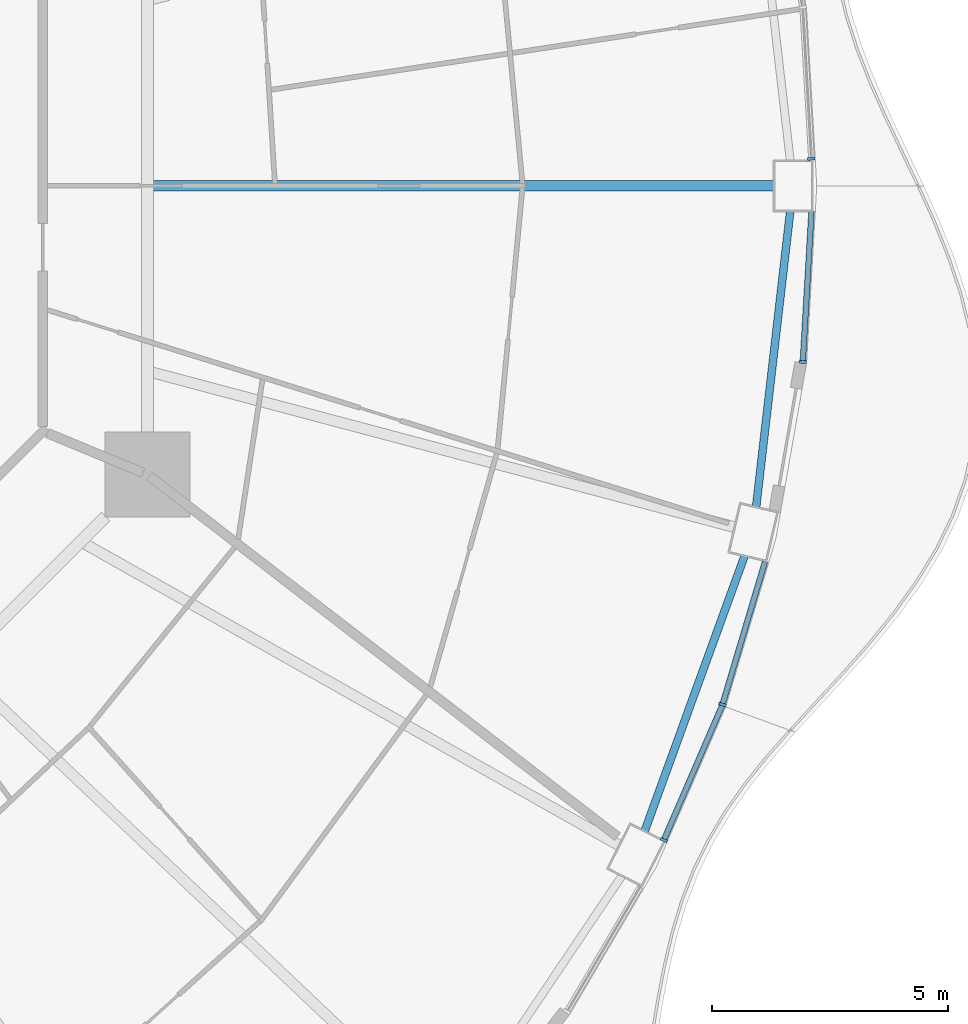
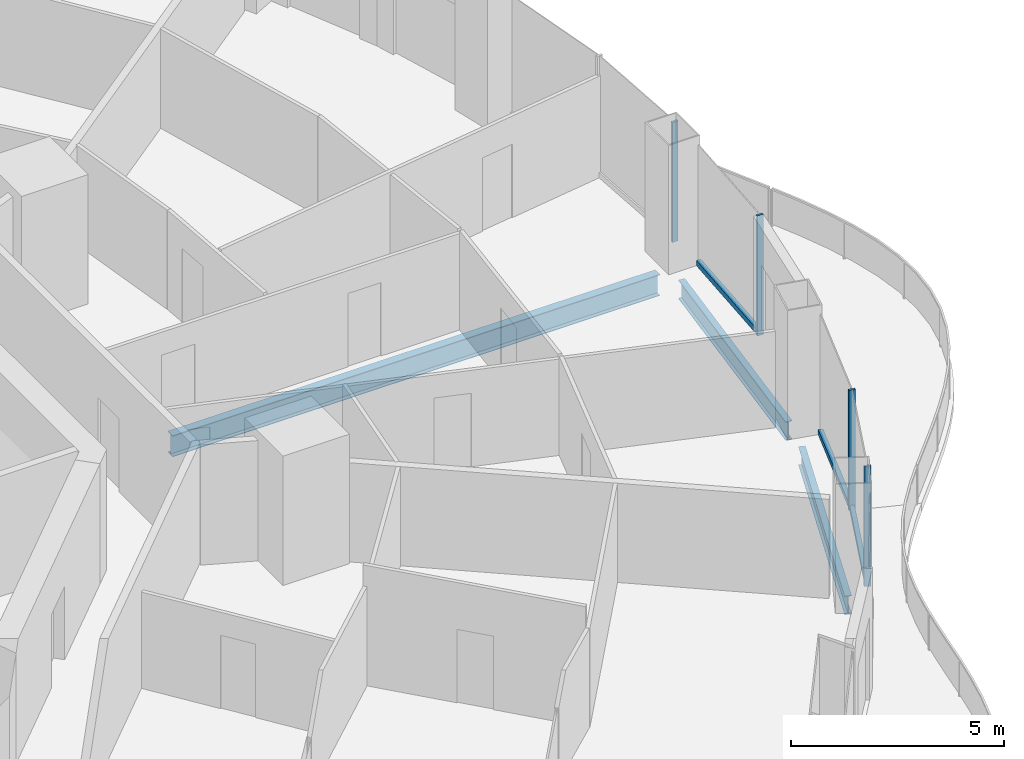
# One storey, part 5 of 19: 7 members, 3 beams, 4 elements without a shape of their own.
"""IFC4 building model written with IfcOpenShell, lengths in metres."""

from ifc_helpers import new_model, si_unit, direction, frame, origin, origin_2d, place, context, subcontext, project, spatial, rectangle, i_section, extrude, material, layer, layer_set, material_profile, profile_set, type_object, element, aggregate, save


model = new_model("IFC4")

# Units and contexts
model_context = context("Model", 3, precision=1e-05, world=origin(), true_north=direction((0.0, 1.0)))
body_context = subcontext(model_context, "Body", "Model", "MODEL_VIEW")
ifc_project = project(units=[si_unit("LENGTHUNIT", "METRE"), si_unit("AREAUNIT", "SQUARE_METRE"), si_unit("VOLUMEUNIT", "CUBIC_METRE"), si_unit("PLANEANGLEUNIT", "RADIAN"), si_unit("MASSUNIT", "GRAM", prefix="KILO")], contexts=[model_context])

# Site, building, storey
site_placement = place(None, origin())
site = spatial("IfcSite", under=ifc_project, at=site_placement, CompositionType="ELEMENT")
building_placement = place(site_placement, origin())
building = spatial("IfcBuilding", under=site, at=building_placement, Name="Nagisa Residences", CompositionType="ELEMENT")
storey_placement = place(building_placement, frame((0.0, 0.0, 177.0)))
storey = spatial("IfcBuildingStorey", under=building, at=storey_placement, Name="L44", CompositionType="ELEMENT", Elevation=177.0)

# Curtain wall, member
ifc_material_1 = material(Name="Concrete-coloured aluminium curtain wall system", Category="concrete")
ifc_layer = layer(ifc_material_1, 0.159912109375)
ifc_layer_set = layer_set([ifc_layer], Name="CW1 CURTAIN WALL")
curtain_wall_type = type_object("IfcCurtainWallType", Name="CW1 CURTAIN WALL", PredefinedType="NOTDEFINED", material=ifc_layer_set)
curtain_wall_1_placement = place(storey_placement, origin())
curtain_wall_1 = element("IfcCurtainWall", 1, at=curtain_wall_1_placement, inside=storey, type_object=curtain_wall_type, Name="cw:CW1:L44:00", PredefinedType="NOTDEFINED")
ifc_material_2 = material(Name="Concrete-coloured aluminium", Category="concrete")
ifc_material_profile_1 = material_profile(ifc_material_2, rectangle(XDim=0.159912109375, YDim=0.06005859375, at=origin_2d()), Name="CW1 MULLION 160x60")
ifc_profile_set_1 = profile_set([ifc_material_profile_1], Name="Concrete-coloured aluminium")
member_type_1 = type_object("IfcMemberType", Name="CW1 MULLION 160x60", PredefinedType="MULLION", material=ifc_profile_set_1)
member_1_placement = place(storey_placement, frame((28.86181640625, 0.574462890625, 0.0), z_axis=(0.0, 0.0, 1.0), x_axis=(-0.998345305184, -0.057503492216, 0.0)))
member_1 = element("IfcMember", 2, at=member_1_placement, type_object=member_type_1, Name="CW1 mullion", PredefinedType="MULLION", context=body_context, shape_type="SweptSolid", body=[
    extrude(rectangle(XDim=0.159912109375, YDim=0.06005859375, at=origin_2d()), origin(), (0.0, 0.0, 1.0), 3.43994140625),
])
aggregate(curtain_wall_1, [member_1])

curtain_wall_2_placement = place(storey_placement, origin())
curtain_wall_2 = element("IfcCurtainWall", 3, at=curtain_wall_2_placement, inside=storey, type_object=curtain_wall_type, Name="cw:CW1:L44:44", PredefinedType="NOTDEFINED")
member_2_placement = place(storey_placement, frame((25.732666015625, -13.87353515625, 0.0), z_axis=(0.0, 0.0, 1.0), x_axis=(-0.917543276295, 0.397635934147, 0.0)))
member_2 = element("IfcMember", 4, at=member_2_placement, type_object=member_type_1, Name="CW1 mullion", PredefinedType="MULLION", context=body_context, shape_type="SweptSolid", body=[
    extrude(rectangle(XDim=0.159912109375, YDim=0.06005859375, at=origin_2d()), origin(), (0.0, 0.0, 1.0), 3.43994140625),
])

curtain_wall_3_placement = place(storey_placement, origin())
curtain_wall_3 = element("IfcCurtainWall", 5, at=curtain_wall_3_placement, inside=storey, type_object=curtain_wall_type, Name="cw:CW1:L44:45", PredefinedType="NOTDEFINED")
member_3_placement = place(storey_placement, frame((26.975341796875, -10.998291015625, 0.0), z_axis=(0.0, 0.0, 1.0), x_axis=(-0.958271310082, 0.285860274038, 0.0)))
member_3 = element("IfcMember", 6, at=member_3_placement, type_object=member_type_1, Name="CW1 mullion", PredefinedType="MULLION", context=body_context, shape_type="SweptSolid", body=[
    extrude(rectangle(XDim=0.159912109375, YDim=0.06005859375, at=origin_2d()), origin(), (0.0, 0.0, 1.0), 3.43994140625),
])

curtain_wall_4_placement = place(storey_placement, origin())
curtain_wall_4 = element("IfcCurtainWall", 7, at=curtain_wall_4_placement, inside=storey, type_object=curtain_wall_type, Name="cw:CW1:L44:47", PredefinedType="NOTDEFINED")
member_4_placement = place(storey_placement, frame((28.6796875, -3.734375, 0.0), z_axis=(0.0, 0.0, 1.0), x_axis=(-0.998345305184, 0.057503492216, 0.0)))
member_4 = element("IfcMember", 8, at=member_4_placement, type_object=member_type_1, Name="CW1 mullion", PredefinedType="MULLION", context=body_context, shape_type="SweptSolid", body=[
    extrude(rectangle(XDim=0.159912109375, YDim=0.06005859375, at=origin_2d()), origin(), (0.0, 0.0, 1.0), 3.43994140625),
])

# Member
ifc_material_3 = material(Name="Concrete-coloured aluminium", Category="concrete")
ifc_material_profile_2 = material_profile(ifc_material_3, rectangle(XDim=0.1201171875, YDim=0.14990234375, at=origin_2d()), Name="CW1 TRANSOM 120x150")
ifc_profile_set_2 = profile_set([ifc_material_profile_2], Name="Concrete-coloured aluminium")
member_type_2 = type_object("IfcMemberType", Name="CW1 TRANSOM 120x150", PredefinedType="USERDEFINED", material=ifc_profile_set_2)
member_5_placement = place(storey_placement, frame((25.720703125, -13.901123046875, 0.074951171875), z_axis=(0.397592173732, 0.917562239517, 0.0), x_axis=(-0.917562239517, 0.397592173732, 0.0)))
member_5 = element("IfcMember", 9, at=member_5_placement, type_object=member_type_2, Name="CW1 transom", ObjectType="TRANSOM", PredefinedType="USERDEFINED", context=body_context, shape_type="SweptSolid", body=[
    extrude(rectangle(XDim=0.1201171875, YDim=0.14990234375, at=origin_2d()), origin(), (0.0, 0.0, 1.0), 3.14208984375),
])

aggregate(curtain_wall_2, [member_2, member_5])

member_6_placement = place(storey_placement, frame((26.966796875, -11.027099609375, 0.074951171875), z_axis=(0.28584838049, 0.958274857946, 0.0), x_axis=(-0.958274857946, 0.28584838049, 0.0)))
member_6 = element("IfcMember", 10, at=member_6_placement, type_object=member_type_2, Name="CW1 transom", ObjectType="TRANSOM", PredefinedType="USERDEFINED", context=body_context, shape_type="SweptSolid", body=[
    extrude(rectangle(XDim=0.1201171875, YDim=0.14990234375, at=origin_2d()), origin(), (0.0, 0.0, 1.0), 3.182373046875),
])

aggregate(curtain_wall_3, [member_3, member_6])

member_7_placement = place(storey_placement, frame((28.677978515625, -3.764404296875, 0.074951171875), z_axis=(0.057528345118, 0.998343873376, 0.0), x_axis=(-0.998343873376, 0.057528345118, 0.0)))
member_7 = element("IfcMember", 11, at=member_7_placement, type_object=member_type_2, Name="CW1 transom", ObjectType="TRANSOM", PredefinedType="USERDEFINED", context=body_context, shape_type="SweptSolid", body=[
    extrude(rectangle(XDim=0.1201171875, YDim=0.14990234375, at=origin_2d()), origin(), (0.0, 0.0, 1.0), 3.225341796875),
])

aggregate(curtain_wall_4, [member_4, member_7])

# Beams
ifc_material_4 = material(Name="Steel ASTM A572 Gr 50", Category="steel")
ifc_material_profile_3 = material_profile(ifc_material_4, i_section(OverallWidth=0.166015625, OverallDepth=0.534912109375, WebThickness=0.01025390625, FlangeThickness=0.0166015625, at=origin_2d()), Name="W530x85")
ifc_profile_set_3 = profile_set([ifc_material_profile_3], Name="Steel ASTM A572 Gr 50")
beam_type_1 = type_object("IfcBeamType", Name="Perimeter ring beam W530x85", PredefinedType="BEAM", material=ifc_profile_set_3)
beam_1_placement = place(storey_placement, frame((25.32470703125, -13.685546875, -0.527587890625), z_axis=(0.341320243926, 0.939947068237, 0.0), x_axis=(-0.939947068237, 0.341320243926, 0.0)))
element("IfcBeam", 12, at=beam_1_placement, inside=storey, type_object=beam_type_1, Name="beam:L44:pb23", PredefinedType="BEAM", context=body_context, shape_type="SweptSolid", body=[
    extrude(i_section(OverallWidth=0.166015625, OverallDepth=0.534912109375, WebThickness=0.01025390625, FlangeThickness=0.0166015625, at=origin_2d()), origin(), (0.0, 0.0, 1.0), 6.212890625),
])
beam_2_placement = place(storey_placement, frame((27.688720703125, -6.813720703125, -0.527587890625), z_axis=(0.11463289794, 0.993407921606, 0.0), x_axis=(-0.993407921606, 0.11463289794, 0.0)))
element("IfcBeam", 13, at=beam_2_placement, inside=storey, type_object=beam_type_1, Name="beam:L44:pb24", PredefinedType="BEAM", context=body_context, shape_type="SweptSolid", body=[
    extrude(i_section(OverallWidth=0.166015625, OverallDepth=0.534912109375, WebThickness=0.01025390625, FlangeThickness=0.0166015625, at=origin_2d()), origin(), (0.0, 0.0, 1.0), 6.325439453125),
])
ifc_material_5 = material(Name="Steel ASTM A572 Gr 50", Category="steel")
ifc_material_profile_4 = material_profile(ifc_material_5, i_section(OverallWidth=0.22802734375, OverallDepth=0.60302734375, WebThickness=0.010498046875, FlangeThickness=0.014892578125, at=origin_2d()), Name="W610x101")
ifc_profile_set_4 = profile_set([ifc_material_profile_4], Name="Steel ASTM A572 Gr 50")
beam_type_2 = type_object("IfcBeamType", Name="Radial beam W610x101", PredefinedType="BEAM", material=ifc_profile_set_4)
beam_3_placement = place(storey_placement, frame((28.070068359375, 0.0, -0.5615234375), z_axis=(-1.0, 0.0, 0.0), x_axis=(0.0, -1.0, 0.0)))
element("IfcBeam", 14, at=beam_3_placement, inside=storey, type_object=beam_type_2, Name="beam:L44:rb01", PredefinedType="BEAM", context=body_context, shape_type="SweptSolid", body=[
    extrude(i_section(OverallWidth=0.22802734375, OverallDepth=0.60302734375, WebThickness=0.010498046875, FlangeThickness=0.014892578125, at=origin_2d()), origin(), (0.0, 0.0, 1.0), 13.180908203125),
])

save(model, "model.ifc")
